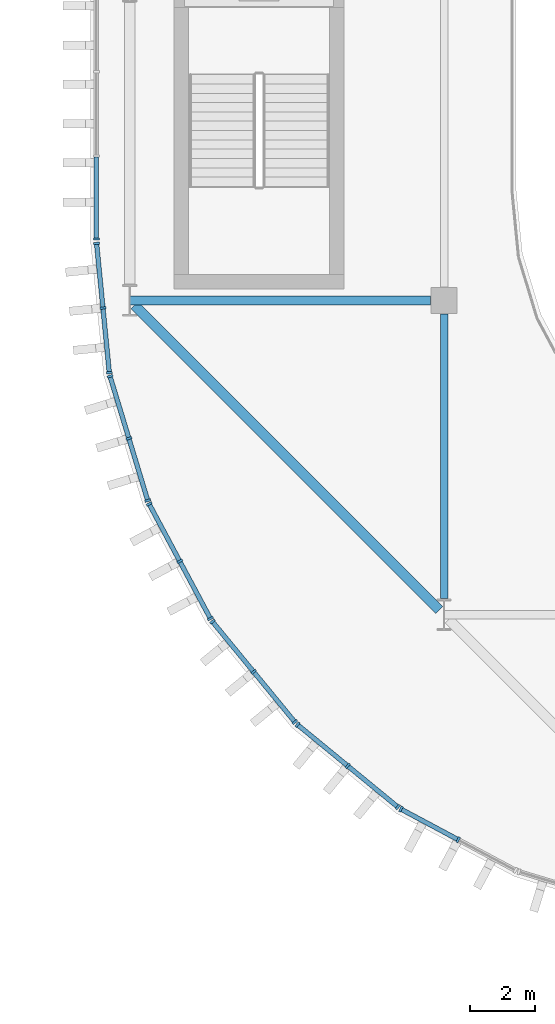
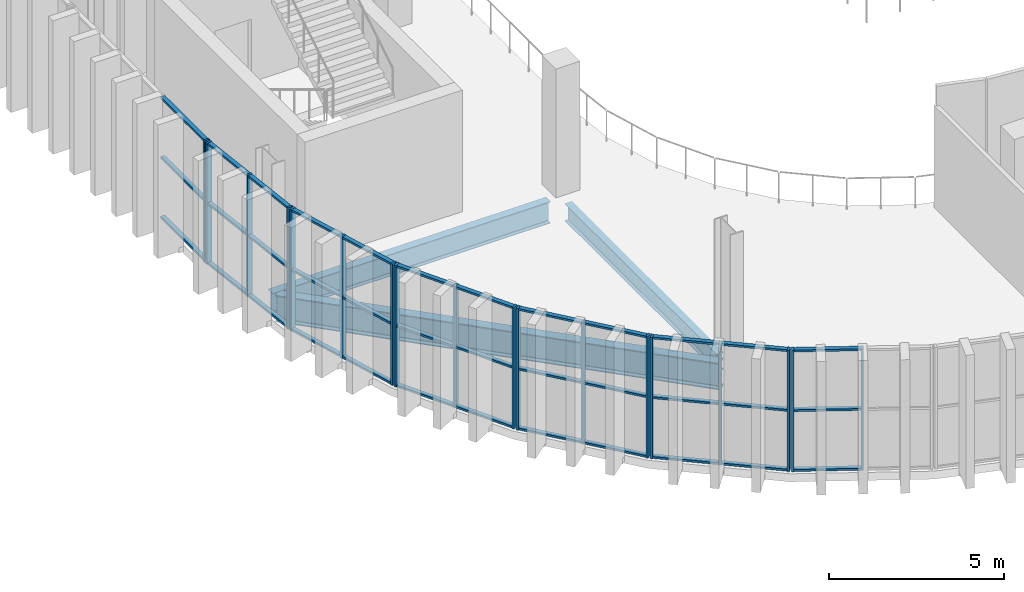
# One storey, part 6 of 75: 54 members, 3 beams, 7 elements without a shape of their own.
"""IFC4 building model written with IfcOpenShell, lengths in metres."""

from ifc_helpers import new_model, si_unit, direction, frame, origin, origin_2d, place, context, subcontext, project, spatial, rectangle, i_section, extrude, material, layer, layer_set, material_profile, profile_set, type_object, element, aggregate, save


model = new_model("IFC4")

# Units and contexts
model_context = context("Model", 3, precision=1e-05, world=origin(), true_north=direction((0.0, 1.0)))
body_context = subcontext(model_context, "Body", "Model", "MODEL_VIEW")
ifc_project = project(units=[si_unit("LENGTHUNIT", "METRE"), si_unit("AREAUNIT", "SQUARE_METRE"), si_unit("VOLUMEUNIT", "CUBIC_METRE"), si_unit("PLANEANGLEUNIT", "RADIAN"), si_unit("MASSUNIT", "GRAM", prefix="KILO")], contexts=[model_context])

# Site, building, storey
site_placement = place(None, origin())
site = spatial("IfcSite", under=ifc_project, at=site_placement, CompositionType="ELEMENT")
building_placement = place(site_placement, origin())
building = spatial("IfcBuilding", under=site, at=building_placement, Name="Caelomonte Colonnade Arena", CompositionType="ELEMENT")
storey_placement = place(building_placement, frame((0.0, 0.0, 14.10009765625)))
storey = spatial("IfcBuildingStorey", under=building, at=storey_placement, Name="L03", CompositionType="ELEMENT", Elevation=14.10009765625)

# Curtain wall, members
ifc_material_1 = material(Name="Bronze anodised aluminium and low-E glazing", Category="aluminium")
ifc_layer_1 = layer(ifc_material_1, 0.179931640625)
ifc_layer_set_1 = layer_set([ifc_layer_1], Name="Bronze anodised aluminium and low-E glazing")
curtain_wall_type_1 = type_object("IfcCurtainWallType", Name="ENV-CW-CW-L03-44-42", PredefinedType="USERDEFINED", material=ifc_layer_set_1)
curtain_wall_1_placement = place(storey_placement, origin())
curtain_wall_1 = element("IfcCurtainWall", 1, at=curtain_wall_1_placement, inside=storey, type_object=curtain_wall_type_1, Name="L03 unitized curtain wall CW-L03-0676-0219", ObjectType="UNITIZED CURTAIN WALL", PredefinedType="USERDEFINED")
ifc_material_2 = material(Name="Bronze anodised aluminium AA6063-T6", Category="aluminium")
ifc_material_profile_1 = material_profile(ifc_material_2, rectangle(XDim=0.070068359375, YDim=0.179931640625, at=origin_2d()), Name="CWM-70X180")
ifc_profile_set_1 = profile_set([ifc_material_profile_1], Name="Bronze anodised aluminium AA6063-T6")
member_type_1 = type_object("IfcMemberType", Name="ENV-CW-MULL1", PredefinedType="MULLION", material=ifc_profile_set_1)
member_1_placement = place(storey_placement, frame((65.884033203125, 22.862548828125, 0.0), z_axis=(0.0, 0.0, 1.0), x_axis=(0.881922613642, -0.471394212466, 0.0)))
member_1 = element("IfcMember", 2, at=member_1_placement, type_object=member_type_1, Name="CW-L03-44-42 mullion 1", PredefinedType="MULLION", context=body_context, shape_type="SweptSolid", body=[
    extrude(rectangle(XDim=0.070068359375, YDim=0.179931640625, at=origin_2d()), origin(), (0.0, 0.0, 1.0), 4.239990234375),
])
member_2_placement = place(storey_placement, frame((67.633056640625, 21.927490234375, 0.0), z_axis=(0.0, 0.0, 1.0), x_axis=(0.881922613642, -0.471394212466, 0.0)))
member_2 = element("IfcMember", 3, at=member_2_placement, type_object=member_type_1, Name="CW-L03-44-42 mullion 2", PredefinedType="MULLION", context=body_context, shape_type="SweptSolid", body=[
    extrude(rectangle(XDim=0.070068359375, YDim=0.179931640625, at=origin_2d()), origin(), (0.0, 0.0, 1.0), 4.239990234375),
])

# Curtain wall, member
ifc_layer_2 = layer(ifc_material_1, 0.179931640625)
ifc_layer_set_2 = layer_set([ifc_layer_2], Name="Bronze anodised aluminium and low-E glazing")
curtain_wall_type_2 = type_object("IfcCurtainWallType", Name="ENV-CW-CW-L03-79-42", PredefinedType="USERDEFINED", material=ifc_layer_set_2)
curtain_wall_2_placement = place(storey_placement, origin())
curtain_wall_2 = element("IfcCurtainWall", 4, at=curtain_wall_2_placement, inside=storey, type_object=curtain_wall_type_2, Name="L03 unitized curtain wall CW-L03-0566-0440", ObjectType="UNITIZED CURTAIN WALL", PredefinedType="USERDEFINED")
member_3_placement = place(storey_placement, frame((56.580078125, 40.27490234375, 0.0), z_axis=(0.0, 0.0, 1.0), x_axis=(0.0, -1.0, 0.0)))
member_3 = element("IfcMember", 5, at=member_3_placement, type_object=member_type_1, Name="CW-L03-79-42 mullion 4", PredefinedType="MULLION", context=body_context, shape_type="SweptSolid", body=[
    extrude(rectangle(XDim=0.070068359375, YDim=0.179931640625, at=origin_2d()), origin(), (0.0, 0.0, 1.0), 4.239990234375),
])

# Curtain wall, members
curtain_wall_3_placement = place(storey_placement, origin())
curtain_wall_3 = element("IfcCurtainWall", 6, at=curtain_wall_3_placement, inside=storey, type_object=curtain_wall_type_1, Name="L03 unitized curtain wall CW-L03-0568-0382", ObjectType="UNITIZED CURTAIN WALL", PredefinedType="USERDEFINED")
member_4_placement = place(storey_placement, frame((56.58642578125, 40.14306640625, 0.0), z_axis=(0.0, 0.0, 1.0), x_axis=(0.098002498041, -0.995186168703, 0.0)))
member_4 = element("IfcMember", 7, at=member_4_placement, type_object=member_type_1, Name="CW-L03-44-42 mullion 1", PredefinedType="MULLION", context=body_context, shape_type="SweptSolid", body=[
    extrude(rectangle(XDim=0.070068359375, YDim=0.179931640625, at=origin_2d()), origin(), (0.0, 0.0, 1.0), 4.239990234375),
])
member_5_placement = place(storey_placement, frame((56.781005859375, 38.169189453125, 0.0), z_axis=(0.0, 0.0, 1.0), x_axis=(0.098002498041, -0.995186168703, 0.0)))
member_5 = element("IfcMember", 8, at=member_5_placement, type_object=member_type_1, Name="CW-L03-44-42 mullion 2", PredefinedType="MULLION", context=body_context, shape_type="SweptSolid", body=[
    extrude(rectangle(XDim=0.070068359375, YDim=0.179931640625, at=origin_2d()), origin(), (0.0, 0.0, 1.0), 4.239990234375),
])
member_6_placement = place(storey_placement, frame((56.975341796875, 36.1953125, 0.0), z_axis=(0.0, 0.0, 1.0), x_axis=(0.098002498041, -0.995186168703, 0.0)))
member_6 = element("IfcMember", 9, at=member_6_placement, type_object=member_type_1, Name="CW-L03-44-42 mullion 3", PredefinedType="MULLION", context=body_context, shape_type="SweptSolid", body=[
    extrude(rectangle(XDim=0.070068359375, YDim=0.179931640625, at=origin_2d()), origin(), (0.0, 0.0, 1.0), 4.239990234375),
])

curtain_wall_4_placement = place(storey_placement, origin())
curtain_wall_4 = element("IfcCurtainWall", 10, at=curtain_wall_4_placement, inside=storey, type_object=curtain_wall_type_1, Name="L03 unitized curtain wall CW-L03-0576-0342", ObjectType="UNITIZED CURTAIN WALL", PredefinedType="USERDEFINED")
member_7_placement = place(storey_placement, frame((56.99755859375, 36.08349609375, 0.0), z_axis=(0.0, 0.0, 1.0), x_axis=(0.290255582655, -0.956949160999, 0.0)))
member_7 = element("IfcMember", 11, at=member_7_placement, type_object=member_type_1, Name="CW-L03-44-42 mullion 1", PredefinedType="MULLION", context=body_context, shape_type="SweptSolid", body=[
    extrude(rectangle(XDim=0.070068359375, YDim=0.179931640625, at=origin_2d()), origin(), (0.0, 0.0, 1.0), 4.239990234375),
])
member_8_placement = place(storey_placement, frame((57.5732421875, 34.185546875, 0.0), z_axis=(0.0, 0.0, 1.0), x_axis=(0.290255582655, -0.956949160999, 0.0)))
member_8 = element("IfcMember", 12, at=member_8_placement, type_object=member_type_1, Name="CW-L03-44-42 mullion 2", PredefinedType="MULLION", context=body_context, shape_type="SweptSolid", body=[
    extrude(rectangle(XDim=0.070068359375, YDim=0.179931640625, at=origin_2d()), origin(), (0.0, 0.0, 1.0), 4.239990234375),
])
member_9_placement = place(storey_placement, frame((58.14892578125, 32.28759765625, 0.0), z_axis=(0.0, 0.0, 1.0), x_axis=(0.290255582655, -0.956949160999, 0.0)))
member_9 = element("IfcMember", 13, at=member_9_placement, type_object=member_type_1, Name="CW-L03-44-42 mullion 3", PredefinedType="MULLION", context=body_context, shape_type="SweptSolid", body=[
    extrude(rectangle(XDim=0.070068359375, YDim=0.179931640625, at=origin_2d()), origin(), (0.0, 0.0, 1.0), 4.239990234375),
])

curtain_wall_5_placement = place(storey_placement, origin())
curtain_wall_5 = element("IfcCurtainWall", 14, at=curtain_wall_5_placement, inside=storey, type_object=curtain_wall_type_1, Name="L03 unitized curtain wall CW-L03-0591-0304", ObjectType="UNITIZED CURTAIN WALL", PredefinedType="USERDEFINED")
member_10_placement = place(storey_placement, frame((58.192626953125, 32.182373046875, 0.0), z_axis=(0.0, 0.0, 1.0), x_axis=(0.471394212466, -0.881922613642, 0.0)))
member_10 = element("IfcMember", 15, at=member_10_placement, type_object=member_type_1, Name="CW-L03-44-42 mullion 1", PredefinedType="MULLION", context=body_context, shape_type="SweptSolid", body=[
    extrude(rectangle(XDim=0.070068359375, YDim=0.179931640625, at=origin_2d()), origin(), (0.0, 0.0, 1.0), 4.239990234375),
])
member_11_placement = place(storey_placement, frame((59.12744140625, 30.43310546875, 0.0), z_axis=(0.0, 0.0, 1.0), x_axis=(0.471394212466, -0.881922613642, 0.0)))
member_11 = element("IfcMember", 16, at=member_11_placement, type_object=member_type_1, Name="CW-L03-44-42 mullion 2", PredefinedType="MULLION", context=body_context, shape_type="SweptSolid", body=[
    extrude(rectangle(XDim=0.070068359375, YDim=0.179931640625, at=origin_2d()), origin(), (0.0, 0.0, 1.0), 4.239990234375),
])
member_12_placement = place(storey_placement, frame((60.0625, 28.68408203125, 0.0), z_axis=(0.0, 0.0, 1.0), x_axis=(0.471394212466, -0.881922613642, 0.0)))
member_12 = element("IfcMember", 17, at=member_12_placement, type_object=member_type_1, Name="CW-L03-44-42 mullion 3", PredefinedType="MULLION", context=body_context, shape_type="SweptSolid", body=[
    extrude(rectangle(XDim=0.070068359375, YDim=0.179931640625, at=origin_2d()), origin(), (0.0, 0.0, 1.0), 4.239990234375),
])

curtain_wall_6_placement = place(storey_placement, origin())
curtain_wall_6 = element("IfcCurtainWall", 18, at=curtain_wall_6_placement, inside=storey, type_object=curtain_wall_type_1, Name="L03 unitized curtain wall CW-L03-0614-0271", ObjectType="UNITIZED CURTAIN WALL", PredefinedType="USERDEFINED")
member_13_placement = place(storey_placement, frame((60.125732421875, 28.58935546875, 0.0), z_axis=(0.0, 0.0, 1.0), x_axis=(0.634416071163, -0.772991751994, 0.0)))
member_13 = element("IfcMember", 19, at=member_13_placement, type_object=member_type_1, Name="CW-L03-44-42 mullion 1", PredefinedType="MULLION", context=body_context, shape_type="SweptSolid", body=[
    extrude(rectangle(XDim=0.070068359375, YDim=0.179931640625, at=origin_2d()), origin(), (0.0, 0.0, 1.0), 4.239990234375),
])
member_14_placement = place(storey_placement, frame((61.384033203125, 27.05615234375, 0.0), z_axis=(0.0, 0.0, 1.0), x_axis=(0.634416071163, -0.772991751994, 0.0)))
member_14 = element("IfcMember", 20, at=member_14_placement, type_object=member_type_1, Name="CW-L03-44-42 mullion 2", PredefinedType="MULLION", context=body_context, shape_type="SweptSolid", body=[
    extrude(rectangle(XDim=0.070068359375, YDim=0.179931640625, at=origin_2d()), origin(), (0.0, 0.0, 1.0), 4.239990234375),
])
member_15_placement = place(storey_placement, frame((62.642333984375, 25.52294921875, 0.0), z_axis=(0.0, 0.0, 1.0), x_axis=(0.634416071163, -0.772991751994, 0.0)))
member_15 = element("IfcMember", 21, at=member_15_placement, type_object=member_type_1, Name="CW-L03-44-42 mullion 3", PredefinedType="MULLION", context=body_context, shape_type="SweptSolid", body=[
    extrude(rectangle(XDim=0.070068359375, YDim=0.179931640625, at=origin_2d()), origin(), (0.0, 0.0, 1.0), 4.239990234375),
])

curtain_wall_7_placement = place(storey_placement, origin())
curtain_wall_7 = element("IfcCurtainWall", 22, at=curtain_wall_7_placement, inside=storey, type_object=curtain_wall_type_1, Name="L03 unitized curtain wall CW-L03-0643-0242", ObjectType="UNITIZED CURTAIN WALL", PredefinedType="USERDEFINED")
member_16_placement = place(storey_placement, frame((62.722900390625, 25.4423828125, 0.0), z_axis=(0.0, 0.0, 1.0), x_axis=(0.772991751994, -0.634416071163, 0.0)))
member_16 = element("IfcMember", 23, at=member_16_placement, type_object=member_type_1, Name="CW-L03-44-42 mullion 1", PredefinedType="MULLION", context=body_context, shape_type="SweptSolid", body=[
    extrude(rectangle(XDim=0.070068359375, YDim=0.179931640625, at=origin_2d()), origin(), (0.0, 0.0, 1.0), 4.239990234375),
])
member_17_placement = place(storey_placement, frame((64.256103515625, 24.18408203125, 0.0), z_axis=(0.0, 0.0, 1.0), x_axis=(0.772991751994, -0.634416071163, 0.0)))
member_17 = element("IfcMember", 24, at=member_17_placement, type_object=member_type_1, Name="CW-L03-44-42 mullion 2", PredefinedType="MULLION", context=body_context, shape_type="SweptSolid", body=[
    extrude(rectangle(XDim=0.070068359375, YDim=0.179931640625, at=origin_2d()), origin(), (0.0, 0.0, 1.0), 4.239990234375),
])
member_18_placement = place(storey_placement, frame((65.789306640625, 22.92578125, 0.0), z_axis=(0.0, 0.0, 1.0), x_axis=(0.772991751994, -0.634416071163, 0.0)))
member_18 = element("IfcMember", 25, at=member_18_placement, type_object=member_type_1, Name="CW-L03-44-42 mullion 3", PredefinedType="MULLION", context=body_context, shape_type="SweptSolid", body=[
    extrude(rectangle(XDim=0.070068359375, YDim=0.179931640625, at=origin_2d()), origin(), (0.0, 0.0, 1.0), 4.239990234375),
])

# Member
ifc_material_profile_2 = material_profile(ifc_material_2, rectangle(XDim=0.070068359375, YDim=0.139892578125, at=origin_2d()), Name="CWT-70X140")
ifc_profile_set_2 = profile_set([ifc_material_profile_2], Name="Bronze anodised aluminium AA6063-T6")
member_type_2 = type_object("IfcMemberType", Name="ENV-CW-TRAN1", PredefinedType="USERDEFINED", material=ifc_profile_set_2)
member_19_placement = place(storey_placement, frame((65.914794921875, 22.845947265625, 0.034912109375), z_axis=(0.88194995936, -0.471343048304, 0.0), x_axis=(0.0, 0.0, 1.0)))
member_19 = element("IfcMember", 26, at=member_19_placement, type_object=member_type_2, Name="CW-L03-44-42 transom 1.1", ObjectType="TRANSOM", PredefinedType="USERDEFINED", context=body_context, shape_type="SweptSolid", body=[
    extrude(rectangle(XDim=0.070068359375, YDim=0.139892578125, at=origin_2d()), origin(), (0.0, 0.0, 1.0), 1.913330078125),
])

member_20_placement = place(storey_placement, frame((65.914794921875, 22.845947265625, 2.119873046875), z_axis=(0.88194995936, -0.471343048304, 0.0), x_axis=(0.0, 0.0, 1.0)))
member_20 = element("IfcMember", 27, at=member_20_placement, type_object=member_type_2, Name="CW-L03-44-42 transom 1.2", ObjectType="TRANSOM", PredefinedType="USERDEFINED", context=body_context, shape_type="SweptSolid", body=[
    extrude(rectangle(XDim=0.070068359375, YDim=0.139892578125, at=origin_2d()), origin(), (0.0, 0.0, 1.0), 1.913330078125),
])

member_21_placement = place(storey_placement, frame((65.914794921875, 22.845947265625, 4.204833984375), z_axis=(0.88194995936, -0.471343048304, 0.0), x_axis=(0.0, 0.0, 1.0)))
member_21 = element("IfcMember", 28, at=member_21_placement, type_object=member_type_2, Name="CW-L03-44-42 transom 1.3", ObjectType="TRANSOM", PredefinedType="USERDEFINED", context=body_context, shape_type="SweptSolid", body=[
    extrude(rectangle(XDim=0.070068359375, YDim=0.139892578125, at=origin_2d()), origin(), (0.0, 0.0, 1.0), 1.913330078125),
])

aggregate(curtain_wall_1, [member_1, member_2, member_19, member_20, member_21])

member_22_placement = place(storey_placement, frame((56.580078125, 42.7783203125, 0.034912109375), z_axis=(0.0, -1.0, 0.0), x_axis=(0.0, 0.0, 1.0)))
member_22 = element("IfcMember", 29, at=member_22_placement, type_object=member_type_2, Name="CW-L03-79-42 transom 3.1", ObjectType="TRANSOM", PredefinedType="USERDEFINED", context=body_context, shape_type="SweptSolid", body=[
    extrude(rectangle(XDim=0.070068359375, YDim=0.139892578125, at=origin_2d()), origin(), (0.0, 0.0, 1.0), 2.46826171875),
])

member_23_placement = place(storey_placement, frame((56.580078125, 42.7783203125, 2.119873046875), z_axis=(0.0, -1.0, 0.0), x_axis=(0.0, 0.0, 1.0)))
member_23 = element("IfcMember", 30, at=member_23_placement, type_object=member_type_2, Name="CW-L03-79-42 transom 3.2", ObjectType="TRANSOM", PredefinedType="USERDEFINED", context=body_context, shape_type="SweptSolid", body=[
    extrude(rectangle(XDim=0.070068359375, YDim=0.139892578125, at=origin_2d()), origin(), (0.0, 0.0, 1.0), 2.46826171875),
])

member_24_placement = place(storey_placement, frame((56.580078125, 42.7783203125, 4.204833984375), z_axis=(0.0, -1.0, 0.0), x_axis=(0.0, 0.0, 1.0)))
member_24 = element("IfcMember", 31, at=member_24_placement, type_object=member_type_2, Name="CW-L03-79-42 transom 3.3", ObjectType="TRANSOM", PredefinedType="USERDEFINED", context=body_context, shape_type="SweptSolid", body=[
    extrude(rectangle(XDim=0.070068359375, YDim=0.139892578125, at=origin_2d()), origin(), (0.0, 0.0, 1.0), 2.46826171875),
])

aggregate(curtain_wall_2, [member_3, member_22, member_23, member_24])

member_25_placement = place(storey_placement, frame((56.58984375, 40.108154296875, 0.034912109375), z_axis=(0.098126524604, -0.995173947192, 0.0), x_axis=(0.0, 0.0, 1.0)))
member_25 = element("IfcMember", 32, at=member_25_placement, type_object=member_type_2, Name="CW-L03-44-42 transom 1.1", ObjectType="TRANSOM", PredefinedType="USERDEFINED", context=body_context, shape_type="SweptSolid", body=[
    extrude(rectangle(XDim=0.070068359375, YDim=0.139892578125, at=origin_2d()), origin(), (0.0, 0.0, 1.0), 1.913330078125),
])

member_26_placement = place(storey_placement, frame((56.58984375, 40.108154296875, 2.119873046875), z_axis=(0.098126524604, -0.995173947192, 0.0), x_axis=(0.0, 0.0, 1.0)))
member_26 = element("IfcMember", 33, at=member_26_placement, type_object=member_type_2, Name="CW-L03-44-42 transom 1.2", ObjectType="TRANSOM", PredefinedType="USERDEFINED", context=body_context, shape_type="SweptSolid", body=[
    extrude(rectangle(XDim=0.070068359375, YDim=0.139892578125, at=origin_2d()), origin(), (0.0, 0.0, 1.0), 1.913330078125),
])

member_27_placement = place(storey_placement, frame((56.58984375, 40.108154296875, 4.204833984375), z_axis=(0.098126524604, -0.995173947192, 0.0), x_axis=(0.0, 0.0, 1.0)))
member_27 = element("IfcMember", 34, at=member_27_placement, type_object=member_type_2, Name="CW-L03-44-42 transom 1.3", ObjectType="TRANSOM", PredefinedType="USERDEFINED", context=body_context, shape_type="SweptSolid", body=[
    extrude(rectangle(XDim=0.070068359375, YDim=0.139892578125, at=origin_2d()), origin(), (0.0, 0.0, 1.0), 1.913330078125),
])

member_28_placement = place(storey_placement, frame((56.784423828125, 38.13427734375, 0.034912109375), z_axis=(0.098000148132, -0.995186400111, 0.0), x_axis=(0.0, 0.0, 1.0)))
member_28 = element("IfcMember", 35, at=member_28_placement, type_object=member_type_2, Name="CW-L03-44-42 transom 2.1", ObjectType="TRANSOM", PredefinedType="USERDEFINED", context=body_context, shape_type="SweptSolid", body=[
    extrude(rectangle(XDim=0.070068359375, YDim=0.139892578125, at=origin_2d()), origin(), (0.0, 0.0, 1.0), 1.913330078125),
])

member_29_placement = place(storey_placement, frame((56.784423828125, 38.13427734375, 2.119873046875), z_axis=(0.098000148132, -0.995186400111, 0.0), x_axis=(0.0, 0.0, 1.0)))
member_29 = element("IfcMember", 36, at=member_29_placement, type_object=member_type_2, Name="CW-L03-44-42 transom 2.2", ObjectType="TRANSOM", PredefinedType="USERDEFINED", context=body_context, shape_type="SweptSolid", body=[
    extrude(rectangle(XDim=0.070068359375, YDim=0.139892578125, at=origin_2d()), origin(), (0.0, 0.0, 1.0), 1.913330078125),
])

member_30_placement = place(storey_placement, frame((56.784423828125, 38.13427734375, 4.204833984375), z_axis=(0.098000148132, -0.995186400111, 0.0), x_axis=(0.0, 0.0, 1.0)))
member_30 = element("IfcMember", 37, at=member_30_placement, type_object=member_type_2, Name="CW-L03-44-42 transom 2.3", ObjectType="TRANSOM", PredefinedType="USERDEFINED", context=body_context, shape_type="SweptSolid", body=[
    extrude(rectangle(XDim=0.070068359375, YDim=0.139892578125, at=origin_2d()), origin(), (0.0, 0.0, 1.0), 1.913330078125),
])

aggregate(curtain_wall_3, [member_4, member_5, member_6, member_25, member_26, member_27, member_28, member_29, member_30])

member_31_placement = place(storey_placement, frame((57.0078125, 36.050048828125, 0.034912109375), z_axis=(0.29015613003, -0.956979320678, 0.0), x_axis=(0.0, 0.0, 1.0)))
member_31 = element("IfcMember", 38, at=member_31_placement, type_object=member_type_2, Name="CW-L03-44-42 transom 1.1", ObjectType="TRANSOM", PredefinedType="USERDEFINED", context=body_context, shape_type="SweptSolid", body=[
    extrude(rectangle(XDim=0.070068359375, YDim=0.139892578125, at=origin_2d()), origin(), (0.0, 0.0, 1.0), 1.913330078125),
])

member_32_placement = place(storey_placement, frame((57.0078125, 36.050048828125, 2.119873046875), z_axis=(0.29015613003, -0.956979320678, 0.0), x_axis=(0.0, 0.0, 1.0)))
member_32 = element("IfcMember", 39, at=member_32_placement, type_object=member_type_2, Name="CW-L03-44-42 transom 1.2", ObjectType="TRANSOM", PredefinedType="USERDEFINED", context=body_context, shape_type="SweptSolid", body=[
    extrude(rectangle(XDim=0.070068359375, YDim=0.139892578125, at=origin_2d()), origin(), (0.0, 0.0, 1.0), 1.913330078125),
])

member_33_placement = place(storey_placement, frame((57.0078125, 36.050048828125, 4.204833984375), z_axis=(0.29015613003, -0.956979320678, 0.0), x_axis=(0.0, 0.0, 1.0)))
member_33 = element("IfcMember", 40, at=member_33_placement, type_object=member_type_2, Name="CW-L03-44-42 transom 1.3", ObjectType="TRANSOM", PredefinedType="USERDEFINED", context=body_context, shape_type="SweptSolid", body=[
    extrude(rectangle(XDim=0.070068359375, YDim=0.139892578125, at=origin_2d()), origin(), (0.0, 0.0, 1.0), 1.913330078125),
])

member_34_placement = place(storey_placement, frame((57.58349609375, 34.152099609375, 0.034912109375), z_axis=(0.29015613003, -0.956979320678, 0.0), x_axis=(0.0, 0.0, 1.0)))
member_34 = element("IfcMember", 41, at=member_34_placement, type_object=member_type_2, Name="CW-L03-44-42 transom 2.1", ObjectType="TRANSOM", PredefinedType="USERDEFINED", context=body_context, shape_type="SweptSolid", body=[
    extrude(rectangle(XDim=0.070068359375, YDim=0.139892578125, at=origin_2d()), origin(), (0.0, 0.0, 1.0), 1.913330078125),
])

member_35_placement = place(storey_placement, frame((57.58349609375, 34.152099609375, 2.119873046875), z_axis=(0.29015613003, -0.956979320678, 0.0), x_axis=(0.0, 0.0, 1.0)))
member_35 = element("IfcMember", 42, at=member_35_placement, type_object=member_type_2, Name="CW-L03-44-42 transom 2.2", ObjectType="TRANSOM", PredefinedType="USERDEFINED", context=body_context, shape_type="SweptSolid", body=[
    extrude(rectangle(XDim=0.070068359375, YDim=0.139892578125, at=origin_2d()), origin(), (0.0, 0.0, 1.0), 1.913330078125),
])

member_36_placement = place(storey_placement, frame((57.58349609375, 34.152099609375, 4.204833984375), z_axis=(0.29015613003, -0.956979320678, 0.0), x_axis=(0.0, 0.0, 1.0)))
member_36 = element("IfcMember", 43, at=member_36_placement, type_object=member_type_2, Name="CW-L03-44-42 transom 2.3", ObjectType="TRANSOM", PredefinedType="USERDEFINED", context=body_context, shape_type="SweptSolid", body=[
    extrude(rectangle(XDim=0.070068359375, YDim=0.139892578125, at=origin_2d()), origin(), (0.0, 0.0, 1.0), 1.913330078125),
])

aggregate(curtain_wall_4, [member_7, member_8, member_9, member_31, member_32, member_33, member_34, member_35, member_36])

member_37_placement = place(storey_placement, frame((58.208984375, 32.1513671875, 0.034912109375), z_axis=(0.47149534087, -0.881868552301, 0.0), x_axis=(0.0, 0.0, 1.0)))
member_37 = element("IfcMember", 44, at=member_37_placement, type_object=member_type_2, Name="CW-L03-44-42 transom 1.1", ObjectType="TRANSOM", PredefinedType="USERDEFINED", context=body_context, shape_type="SweptSolid", body=[
    extrude(rectangle(XDim=0.070068359375, YDim=0.139892578125, at=origin_2d()), origin(), (0.0, 0.0, 1.0), 1.913330078125),
])

member_38_placement = place(storey_placement, frame((58.208984375, 32.1513671875, 2.119873046875), z_axis=(0.47149534087, -0.881868552301, 0.0), x_axis=(0.0, 0.0, 1.0)))
member_38 = element("IfcMember", 45, at=member_38_placement, type_object=member_type_2, Name="CW-L03-44-42 transom 1.2", ObjectType="TRANSOM", PredefinedType="USERDEFINED", context=body_context, shape_type="SweptSolid", body=[
    extrude(rectangle(XDim=0.070068359375, YDim=0.139892578125, at=origin_2d()), origin(), (0.0, 0.0, 1.0), 1.913330078125),
])

member_39_placement = place(storey_placement, frame((58.208984375, 32.1513671875, 4.204833984375), z_axis=(0.47149534087, -0.881868552301, 0.0), x_axis=(0.0, 0.0, 1.0)))
member_39 = element("IfcMember", 46, at=member_39_placement, type_object=member_type_2, Name="CW-L03-44-42 transom 1.3", ObjectType="TRANSOM", PredefinedType="USERDEFINED", context=body_context, shape_type="SweptSolid", body=[
    extrude(rectangle(XDim=0.070068359375, YDim=0.139892578125, at=origin_2d()), origin(), (0.0, 0.0, 1.0), 1.913330078125),
])

member_40_placement = place(storey_placement, frame((59.14404296875, 30.40234375, 0.034912109375), z_axis=(0.471343048304, -0.88194995936, 0.0), x_axis=(0.0, 0.0, 1.0)))
member_40 = element("IfcMember", 47, at=member_40_placement, type_object=member_type_2, Name="CW-L03-44-42 transom 2.1", ObjectType="TRANSOM", PredefinedType="USERDEFINED", context=body_context, shape_type="SweptSolid", body=[
    extrude(rectangle(XDim=0.070068359375, YDim=0.139892578125, at=origin_2d()), origin(), (0.0, 0.0, 1.0), 1.913330078125),
])

member_41_placement = place(storey_placement, frame((59.14404296875, 30.40234375, 2.119873046875), z_axis=(0.471343048304, -0.88194995936, 0.0), x_axis=(0.0, 0.0, 1.0)))
member_41 = element("IfcMember", 48, at=member_41_placement, type_object=member_type_2, Name="CW-L03-44-42 transom 2.2", ObjectType="TRANSOM", PredefinedType="USERDEFINED", context=body_context, shape_type="SweptSolid", body=[
    extrude(rectangle(XDim=0.070068359375, YDim=0.139892578125, at=origin_2d()), origin(), (0.0, 0.0, 1.0), 1.913330078125),
])

member_42_placement = place(storey_placement, frame((59.14404296875, 30.40234375, 4.204833984375), z_axis=(0.471343048304, -0.88194995936, 0.0), x_axis=(0.0, 0.0, 1.0)))
member_42 = element("IfcMember", 49, at=member_42_placement, type_object=member_type_2, Name="CW-L03-44-42 transom 2.3", ObjectType="TRANSOM", PredefinedType="USERDEFINED", context=body_context, shape_type="SweptSolid", body=[
    extrude(rectangle(XDim=0.070068359375, YDim=0.139892578125, at=origin_2d()), origin(), (0.0, 0.0, 1.0), 1.913330078125),
])

aggregate(curtain_wall_5, [member_10, member_11, member_12, member_37, member_38, member_39, member_40, member_41, member_42])

member_43_placement = place(storey_placement, frame((60.14794921875, 28.562255859375, 0.034912109375), z_axis=(0.634418283662, -0.772989936128, 0.0), x_axis=(0.0, 0.0, 1.0)))
member_43 = element("IfcMember", 50, at=member_43_placement, type_object=member_type_2, Name="CW-L03-44-42 transom 1.1", ObjectType="TRANSOM", PredefinedType="USERDEFINED", context=body_context, shape_type="SweptSolid", body=[
    extrude(rectangle(XDim=0.070068359375, YDim=0.139892578125, at=origin_2d()), origin(), (0.0, 0.0, 1.0), 1.913330078125),
])

member_44_placement = place(storey_placement, frame((60.14794921875, 28.562255859375, 2.119873046875), z_axis=(0.634418283662, -0.772989936128, 0.0), x_axis=(0.0, 0.0, 1.0)))
member_44 = element("IfcMember", 51, at=member_44_placement, type_object=member_type_2, Name="CW-L03-44-42 transom 1.2", ObjectType="TRANSOM", PredefinedType="USERDEFINED", context=body_context, shape_type="SweptSolid", body=[
    extrude(rectangle(XDim=0.070068359375, YDim=0.139892578125, at=origin_2d()), origin(), (0.0, 0.0, 1.0), 1.913330078125),
])

member_45_placement = place(storey_placement, frame((60.14794921875, 28.562255859375, 4.204833984375), z_axis=(0.634418283662, -0.772989936128, 0.0), x_axis=(0.0, 0.0, 1.0)))
member_45 = element("IfcMember", 52, at=member_45_placement, type_object=member_type_2, Name="CW-L03-44-42 transom 1.3", ObjectType="TRANSOM", PredefinedType="USERDEFINED", context=body_context, shape_type="SweptSolid", body=[
    extrude(rectangle(XDim=0.070068359375, YDim=0.139892578125, at=origin_2d()), origin(), (0.0, 0.0, 1.0), 1.913330078125),
])

member_46_placement = place(storey_placement, frame((61.40625, 27.029052734375, 0.034912109375), z_axis=(0.634418283662, -0.772989936128, 0.0), x_axis=(0.0, 0.0, 1.0)))
member_46 = element("IfcMember", 53, at=member_46_placement, type_object=member_type_2, Name="CW-L03-44-42 transom 2.1", ObjectType="TRANSOM", PredefinedType="USERDEFINED", context=body_context, shape_type="SweptSolid", body=[
    extrude(rectangle(XDim=0.070068359375, YDim=0.139892578125, at=origin_2d()), origin(), (0.0, 0.0, 1.0), 1.913330078125),
])

member_47_placement = place(storey_placement, frame((61.40625, 27.029052734375, 2.119873046875), z_axis=(0.634418283662, -0.772989936128, 0.0), x_axis=(0.0, 0.0, 1.0)))
member_47 = element("IfcMember", 54, at=member_47_placement, type_object=member_type_2, Name="CW-L03-44-42 transom 2.2", ObjectType="TRANSOM", PredefinedType="USERDEFINED", context=body_context, shape_type="SweptSolid", body=[
    extrude(rectangle(XDim=0.070068359375, YDim=0.139892578125, at=origin_2d()), origin(), (0.0, 0.0, 1.0), 1.913330078125),
])

member_48_placement = place(storey_placement, frame((61.40625, 27.029052734375, 4.204833984375), z_axis=(0.634418283662, -0.772989936128, 0.0), x_axis=(0.0, 0.0, 1.0)))
member_48 = element("IfcMember", 55, at=member_48_placement, type_object=member_type_2, Name="CW-L03-44-42 transom 2.3", ObjectType="TRANSOM", PredefinedType="USERDEFINED", context=body_context, shape_type="SweptSolid", body=[
    extrude(rectangle(XDim=0.070068359375, YDim=0.139892578125, at=origin_2d()), origin(), (0.0, 0.0, 1.0), 1.913330078125),
])

aggregate(curtain_wall_6, [member_13, member_14, member_15, member_43, member_44, member_45, member_46, member_47, member_48])

member_49_placement = place(storey_placement, frame((62.75, 25.420166015625, 0.034912109375), z_axis=(0.772989936128, -0.634418283662, 0.0), x_axis=(0.0, 0.0, 1.0)))
member_49 = element("IfcMember", 56, at=member_49_placement, type_object=member_type_2, Name="CW-L03-44-42 transom 1.1", ObjectType="TRANSOM", PredefinedType="USERDEFINED", context=body_context, shape_type="SweptSolid", body=[
    extrude(rectangle(XDim=0.070068359375, YDim=0.139892578125, at=origin_2d()), origin(), (0.0, 0.0, 1.0), 1.913330078125),
])

member_50_placement = place(storey_placement, frame((62.75, 25.420166015625, 2.119873046875), z_axis=(0.772989936128, -0.634418283662, 0.0), x_axis=(0.0, 0.0, 1.0)))
member_50 = element("IfcMember", 57, at=member_50_placement, type_object=member_type_2, Name="CW-L03-44-42 transom 1.2", ObjectType="TRANSOM", PredefinedType="USERDEFINED", context=body_context, shape_type="SweptSolid", body=[
    extrude(rectangle(XDim=0.070068359375, YDim=0.139892578125, at=origin_2d()), origin(), (0.0, 0.0, 1.0), 1.913330078125),
])

member_51_placement = place(storey_placement, frame((62.75, 25.420166015625, 4.204833984375), z_axis=(0.772989936128, -0.634418283662, 0.0), x_axis=(0.0, 0.0, 1.0)))
member_51 = element("IfcMember", 58, at=member_51_placement, type_object=member_type_2, Name="CW-L03-44-42 transom 1.3", ObjectType="TRANSOM", PredefinedType="USERDEFINED", context=body_context, shape_type="SweptSolid", body=[
    extrude(rectangle(XDim=0.070068359375, YDim=0.139892578125, at=origin_2d()), origin(), (0.0, 0.0, 1.0), 1.913330078125),
])

member_52_placement = place(storey_placement, frame((64.283203125, 24.161865234375, 0.034912109375), z_axis=(0.772989936128, -0.634418283662, 0.0), x_axis=(0.0, 0.0, 1.0)))
member_52 = element("IfcMember", 59, at=member_52_placement, type_object=member_type_2, Name="CW-L03-44-42 transom 2.1", ObjectType="TRANSOM", PredefinedType="USERDEFINED", context=body_context, shape_type="SweptSolid", body=[
    extrude(rectangle(XDim=0.070068359375, YDim=0.139892578125, at=origin_2d()), origin(), (0.0, 0.0, 1.0), 1.913330078125),
])

member_53_placement = place(storey_placement, frame((64.283203125, 24.161865234375, 2.119873046875), z_axis=(0.772989936128, -0.634418283662, 0.0), x_axis=(0.0, 0.0, 1.0)))
member_53 = element("IfcMember", 60, at=member_53_placement, type_object=member_type_2, Name="CW-L03-44-42 transom 2.2", ObjectType="TRANSOM", PredefinedType="USERDEFINED", context=body_context, shape_type="SweptSolid", body=[
    extrude(rectangle(XDim=0.070068359375, YDim=0.139892578125, at=origin_2d()), origin(), (0.0, 0.0, 1.0), 1.913330078125),
])

member_54_placement = place(storey_placement, frame((64.283203125, 24.161865234375, 4.204833984375), z_axis=(0.772989936128, -0.634418283662, 0.0), x_axis=(0.0, 0.0, 1.0)))
member_54 = element("IfcMember", 61, at=member_54_placement, type_object=member_type_2, Name="CW-L03-44-42 transom 2.3", ObjectType="TRANSOM", PredefinedType="USERDEFINED", context=body_context, shape_type="SweptSolid", body=[
    extrude(rectangle(XDim=0.070068359375, YDim=0.139892578125, at=origin_2d()), origin(), (0.0, 0.0, 1.0), 1.913330078125),
])

aggregate(curtain_wall_7, [member_16, member_17, member_18, member_49, member_50, member_51, member_52, member_53, member_54])

# Beams
ifc_material_3 = material(Name="Wide-flange steel ASTM A992 Grade 50", Category="steel")
ifc_material_profile_3 = material_profile(ifc_material_3, i_section(OverallWidth=0.307861328125, OverallDepth=0.927001953125, WebThickness=0.019287109375, FlangeThickness=0.031982421875, FilletRadius=0.020263671875, at=origin_2d()), Name="W36X194")
ifc_profile_set_3 = profile_set([ifc_material_profile_3], Name="Wide-flange steel ASTM A992 Grade 50")
beam_type_1 = type_object("IfcBeamType", Name="STR-BM-EAVES2", PredefinedType="SPANDREL", material=ifc_profile_set_3)
beam_1_placement = place(storey_placement, frame((57.742431640625, 38.257568359375, -0.74365234375), z_axis=(0.707106781187, -0.707106781187, 0.0), x_axis=(0.707106781187, 0.707106781187, 0.0)))
element("IfcBeam", 62, at=beam_1_placement, inside=storey, type_object=beam_type_1, Name="L03 drum corner ring girder 1", PredefinedType="SPANDREL", context=body_context, shape_type="SweptSolid", body=[
    extrude(i_section(OverallWidth=0.307861328125, OverallDepth=0.927001953125, WebThickness=0.019287109375, FlangeThickness=0.031982421875, FilletRadius=0.020263671875, at=origin_2d()), origin(), (0.0, 0.0, 1.0), 13.173583984375),
])
ifc_material_profile_4 = material_profile(ifc_material_3, i_section(OverallWidth=0.228271484375, OverallDepth=0.607177734375, WebThickness=0.01123046875, FlangeThickness=0.017333984375, FilletRadius=0.0126953125, at=origin_2d()), Name="W24X76")
ifc_profile_set_4 = profile_set([ifc_material_profile_4], Name="Wide-flange steel ASTM A992 Grade 50")
beam_type_2 = type_object("IfcBeamType", Name="STR-BM-GIRD24", PredefinedType="BEAM", material=ifc_profile_set_4)
beam_2_placement = place(storey_placement, frame((67.199951171875, 29.297607421875, -0.58349609375), z_axis=(0.0, 1.0, 0.0), x_axis=(-1.0, 0.0, 0.0)))
element("IfcBeam", 63, at=beam_2_placement, inside=storey, type_object=beam_type_2, Name="L03 girder BMY-L03-0672-0288", PredefinedType="BEAM", context=body_context, shape_type="SweptSolid", body=[
    extrude(i_section(OverallWidth=0.228271484375, OverallDepth=0.607177734375, WebThickness=0.01123046875, FlangeThickness=0.017333984375, FilletRadius=0.0126953125, at=origin_2d()), origin(), (0.0, 0.0, 1.0), 8.685302734375),
])
ifc_material_profile_5 = material_profile(ifc_material_3, i_section(OverallWidth=0.265380859375, OverallDepth=0.75439453125, WebThickness=0.01318359375, FlangeThickness=0.01708984375, FilletRadius=0.0166015625, at=origin_2d()), Name="W30X99")
ifc_profile_set_5 = profile_set([ifc_material_profile_5], Name="Wide-flange steel ASTM A992 Grade 50")
beam_type_3 = type_object("IfcBeamType", Name="STR-BM-GIRD30B", PredefinedType="BEAM", material=ifc_profile_set_5)
beam_3_placement = place(storey_placement, frame((57.61181640625, 38.39990234375, -0.6572265625), z_axis=(1.0, 0.0, 0.0), x_axis=(0.0, 1.0, 0.0)))
element("IfcBeam", 64, at=beam_3_placement, inside=storey, type_object=beam_type_3, Name="L03 girder BMX-L03-0576-0384", PredefinedType="BEAM", context=body_context, shape_type="SweptSolid", body=[
    extrude(i_section(OverallWidth=0.265380859375, OverallDepth=0.75439453125, WebThickness=0.01318359375, FlangeThickness=0.01708984375, FilletRadius=0.0166015625, at=origin_2d()), origin(), (0.0, 0.0, 1.0), 9.171142578125),
])

save(model, "model.ifc")
